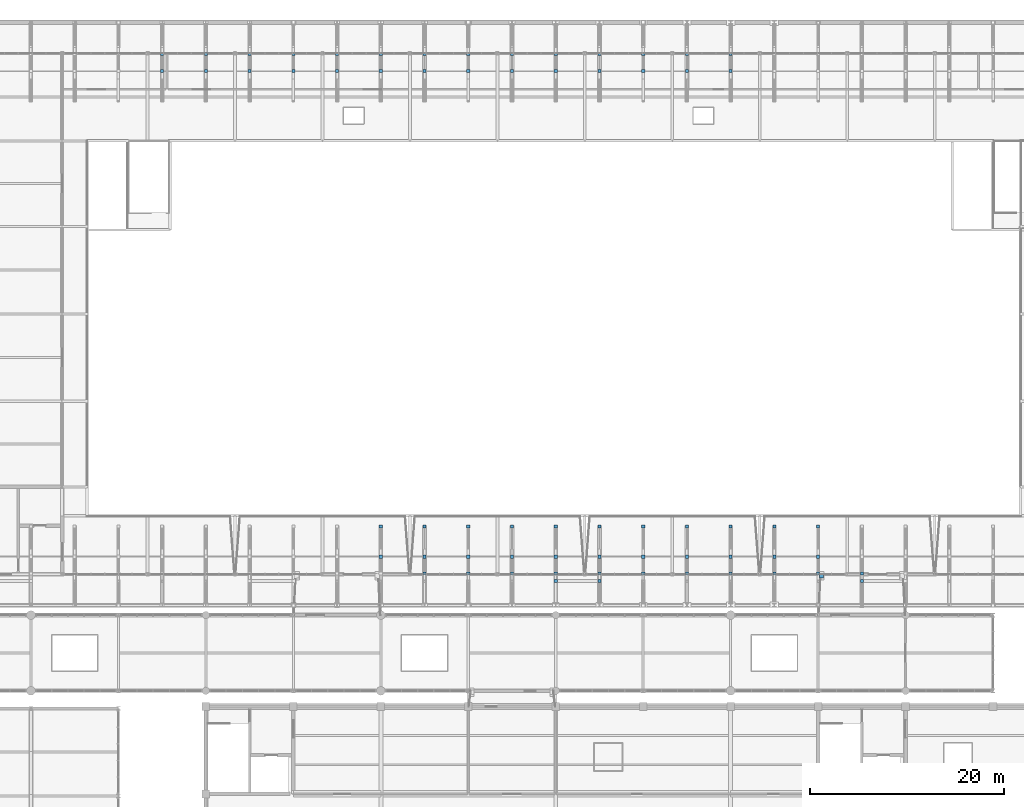
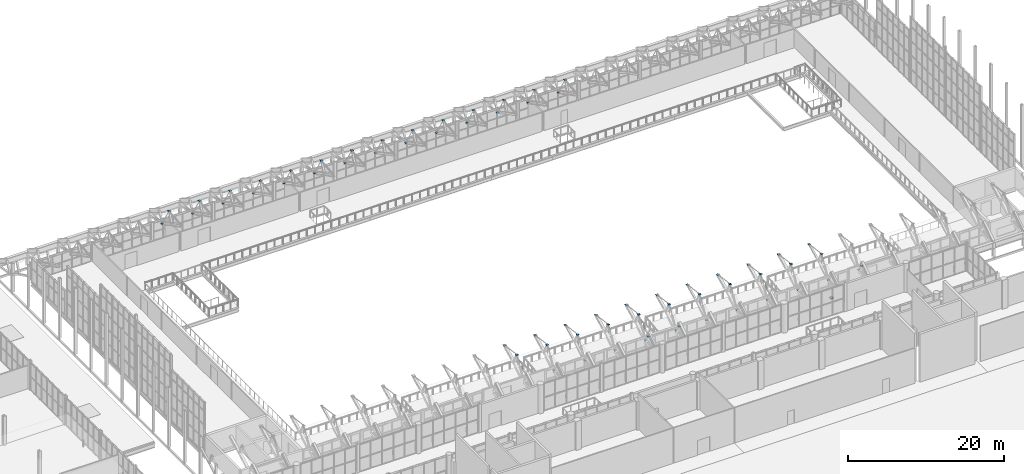
# One storey, part 125 of 134: 65 discrete accessories.
"""IFC4 building model written with IfcOpenShell, lengths in metres."""

from ifc_helpers import new_model, si_unit, direction, frame, origin, origin_2d, place, context, subcontext, project, spatial, rectangle, extrude, material, type_object, element, save


model = new_model("IFC4")

# Units and contexts
model_context = context("Model", 3, precision=1e-05, world=origin(), true_north=direction((0.0, 1.0)))
body_context = subcontext(model_context, "Body", "Model", "MODEL_VIEW")
ifc_project = project(units=[si_unit("LENGTHUNIT", "METRE"), si_unit("AREAUNIT", "SQUARE_METRE"), si_unit("VOLUMEUNIT", "CUBIC_METRE"), si_unit("PLANEANGLEUNIT", "RADIAN"), si_unit("MASSUNIT", "GRAM", prefix="KILO")], contexts=[model_context])

# Site, building, storey
site_placement = place(None, origin())
site = spatial("IfcSite", under=ifc_project, at=site_placement, CompositionType="ELEMENT")
building_placement = place(site_placement, origin())
building = spatial("IfcBuilding", under=site, at=building_placement, Name="Cazmaro Siding Exhibition Halls", CompositionType="ELEMENT")
storey_placement = place(building_placement, frame((0.0, 0.0, 12.0)))
storey = spatial("IfcBuildingStorey", under=building, at=storey_placement, Name="L02", CompositionType="ELEMENT", Elevation=12.0)

# Discrete accessories
ifc_material_1 = material(Name="PTFE Stainless Steel Elastomeric Bearing Assembly", Category="steel")
discrete_accessory_type_1 = type_object("IfcDiscreteAccessoryType", Name="SB-PTFE-01", PredefinedType="USERDEFINED", material=ifc_material_1)
discrete_accessory_placement = place(storey_placement, frame((135.35009765625, 67.050048828125, -0.571044921875), z_axis=(0.0, 0.0, 1.0), x_axis=(1.0, 0.0, 0.0)))
element("IfcDiscreteAccessory", 1, at=discrete_accessory_placement, inside=storey, type_object=discrete_accessory_type_1, Name="Unguided Bi-Directional PTFE Sliding Bearing SB-02 L02", ObjectType="SLIDING BEARING", PredefinedType="USERDEFINED", context=body_context, shape_type="SweptSolid", body=[
    extrude(rectangle(XDim=0.449951171875, YDim=0.449951171875, at=origin_2d()), origin(), (0.0, 0.0, 1.0), 0.1201171875),
])
ifc_material_2 = material(Name="Steel ASTM A572 Grade 50", Category="steel")
discrete_accessory_type_2 = type_object("IfcDiscreteAccessoryType", Name="GP-CONN-01", PredefinedType="BRACKET", material=ifc_material_2)
for number, where, z_axis, x_axis, name in (
    (2, (67.5, 119.0, 5.2861328125), (0.0, 0.0, 1.0), (1.0, 0.0, 0.0), "Welded Steel Brace Node Gusset Connection GP-01 0180"),
    (3, (67.5, 120.72900390625, 2.291015625), (0.0, 0.0, 1.0), (1.0, 0.0, 0.0), "Welded Steel Brace Node Gusset Connection GP-01 0181"),
    (4, (72.0, 119.0, 5.2861328125), (0.0, 0.0, 1.0), (1.0, 0.0, 0.0), "Welded Steel Brace Node Gusset Connection GP-01 0213"),
    (5, (72.0, 120.72900390625, 2.291015625), (0.0, 0.0, 1.0), (1.0, 0.0, 0.0), "Welded Steel Brace Node Gusset Connection GP-01 0214"),
    (6, (76.5, 119.0, 5.2861328125), (0.0, 0.0, 1.0), (1.0, 0.0, 0.0), "Welded Steel Brace Node Gusset Connection GP-01 0240"),
    (7, (76.5, 120.72900390625, 2.291015625), (0.0, 0.0, 1.0), (1.0, 0.0, 0.0), "Welded Steel Brace Node Gusset Connection GP-01 0241"),
    (8, (81.0, 119.0, 5.2861328125), (0.0, 0.0, 1.0), (1.0, 0.0, 0.0), "Welded Steel Brace Node Gusset Connection GP-01 0277"),
    (9, (81.0, 120.72900390625, 2.291015625), (0.0, 0.0, 1.0), (1.0, 0.0, 0.0), "Welded Steel Brace Node Gusset Connection GP-01 0278"),
    (10, (85.5, 119.0, 5.2861328125), (0.0, 0.0, 1.0), (1.0, 0.0, 0.0), "Welded Steel Brace Node Gusset Connection GP-01 0299"),
    (11, (85.5, 120.72900390625, 2.291015625), (0.0, 0.0, 1.0), (1.0, 0.0, 0.0), "Welded Steel Brace Node Gusset Connection GP-01 0300"),
    (12, (90.0, 69.0, 5.2861328125), (0.0, 0.0, 1.0), (1.0, 0.0, 0.0), "Welded Steel Brace Node Gusset Connection GP-01 0313"),
    (13, (90.0, 72.131103515625, 4.86376953125), (0.0, 0.0, 1.0), (1.0, 0.0, 0.0), "Welded Steel Brace Node Gusset Connection GP-01 0314"),
    (14, (90.0, 119.0, 5.2861328125), (0.0, 0.0, 1.0), (1.0, 0.0, 0.0), "Welded Steel Brace Node Gusset Connection GP-01 0332"),
    (15, (90.0, 120.72900390625, 2.291015625), (0.0, 0.0, 1.0), (1.0, 0.0, 0.0), "Welded Steel Brace Node Gusset Connection GP-01 0333"),
    (16, (94.5, 67.27099609375, 2.291015625), (0.0, 0.0, 1.0), (1.0, 0.0, 0.0), "Welded Steel Brace Node Gusset Connection GP-01 0334"),
    (17, (94.5, 69.0, 5.2861328125), (0.0, 0.0, 1.0), (1.0, 0.0, 0.0), "Welded Steel Brace Node Gusset Connection GP-01 0335"),
    (18, (94.5, 72.131103515625, 4.86376953125), (0.0, 0.0, 1.0), (1.0, 0.0, 0.0), "Welded Steel Brace Node Gusset Connection GP-01 0336"),
    (19, (94.5, 119.0, 5.2861328125), (0.0, 0.0, 1.0), (1.0, 0.0, 0.0), "Welded Steel Brace Node Gusset Connection GP-01 0354"),
    (20, (94.5, 120.72900390625, 2.291015625), (0.0, 0.0, 1.0), (1.0, 0.0, 0.0), "Welded Steel Brace Node Gusset Connection GP-01 0355"),
    (21, (99.0, 67.27099609375, 2.291015625), (0.0, 0.0, 1.0), (1.0, 0.0, 0.0), "Welded Steel Brace Node Gusset Connection GP-01 0367"),
    (22, (99.0, 69.0, 5.2861328125), (0.0, 0.0, 1.0), (1.0, 0.0, 0.0), "Welded Steel Brace Node Gusset Connection GP-01 0368"),
    (23, (99.0, 72.131103515625, 4.86376953125), (0.0, 0.0, 1.0), (1.0, 0.0, 0.0), "Welded Steel Brace Node Gusset Connection GP-01 0369"),
    (24, (99.0, 119.0, 5.2861328125), (0.0, 0.0, 1.0), (1.0, 0.0, 0.0), "Welded Steel Brace Node Gusset Connection GP-01 0387"),
    (25, (99.0, 120.72900390625, 2.291015625), (0.0, 0.0, 1.0), (1.0, 0.0, 0.0), "Welded Steel Brace Node Gusset Connection GP-01 0388"),
    (26, (103.5, 67.27099609375, 2.291015625), (0.0, 0.0, 1.0), (1.0, 0.0, 0.0), "Welded Steel Brace Node Gusset Connection GP-01 0389"),
    (27, (103.5, 69.0, 5.2861328125), (0.0, 0.0, 1.0), (1.0, 0.0, 0.0), "Welded Steel Brace Node Gusset Connection GP-01 0390"),
    (28, (103.5, 72.131103515625, 4.86376953125), (0.0, 0.0, 1.0), (1.0, 0.0, 0.0), "Welded Steel Brace Node Gusset Connection GP-01 0391"),
    (29, (103.5, 119.0, 5.2861328125), (0.0, 0.0, 1.0), (1.0, 0.0, 0.0), "Welded Steel Brace Node Gusset Connection GP-01 0409"),
    (30, (103.5, 120.72900390625, 2.291015625), (0.0, 0.0, 1.0), (1.0, 0.0, 0.0), "Welded Steel Brace Node Gusset Connection GP-01 0410"),
    (31, (108.0, 66.5, 3.337890625), (0.0, 0.0, 1.0), (1.0, 0.0, 0.0), "Welded Steel Brace Node Gusset Connection GP-01 0422"),
    (32, (108.0, 67.27099609375, 2.291015625), (0.0, 0.0, 1.0), (1.0, 0.0, 0.0), "Welded Steel Brace Node Gusset Connection GP-01 0423"),
    (33, (108.0, 69.0, 5.2861328125), (0.0, 0.0, 1.0), (1.0, 0.0, 0.0), "Welded Steel Brace Node Gusset Connection GP-01 0425"),
    (34, (108.0, 72.131103515625, 4.86376953125), (0.0, 0.0, 1.0), (1.0, 0.0, 0.0), "Welded Steel Brace Node Gusset Connection GP-01 0426"),
    (35, (108.0, 119.0, 5.2861328125), (0.0, 0.0, 1.0), (1.0, 0.0, 0.0), "Welded Steel Brace Node Gusset Connection GP-01 0447"),
    (36, (108.0, 120.72900390625, 2.291015625), (0.0, 0.0, 1.0), (1.0, 0.0, 0.0), "Welded Steel Brace Node Gusset Connection GP-01 0448"),
    (37, (112.5, 66.5, 3.337890625), (0.0, 0.0, 1.0), (1.0, 0.0, 0.0), "Welded Steel Brace Node Gusset Connection GP-01 0449"),
    (38, (112.5, 67.27099609375, 2.291015625), (0.0, 0.0, 1.0), (1.0, 0.0, 0.0), "Welded Steel Brace Node Gusset Connection GP-01 0450"),
    (39, (112.5, 69.0, 5.2861328125), (0.0, 0.0, 1.0), (1.0, 0.0, 0.0), "Welded Steel Brace Node Gusset Connection GP-01 0451"),
    (40, (112.5, 72.131103515625, 4.86376953125), (0.0, 0.0, 1.0), (1.0, 0.0, 0.0), "Welded Steel Brace Node Gusset Connection GP-01 0452"),
    (41, (112.5, 119.0, 5.2861328125), (0.0, 0.0, 1.0), (1.0, 0.0, 0.0), "Welded Steel Brace Node Gusset Connection GP-01 0473"),
    (42, (112.5, 120.72900390625, 2.291015625), (0.0, 0.0, 1.0), (1.0, 0.0, 0.0), "Welded Steel Brace Node Gusset Connection GP-01 0474"),
    (43, (117.0, 67.27099609375, 2.291015625), (0.0, 0.0, 1.0), (1.0, 0.0, 0.0), "Welded Steel Brace Node Gusset Connection GP-01 0486"),
    (44, (117.0, 69.0, 5.2861328125), (0.0, 0.0, 1.0), (1.0, 0.0, 0.0), "Welded Steel Brace Node Gusset Connection GP-01 0487"),
    (45, (117.0, 72.131103515625, 4.86376953125), (0.0, 0.0, 1.0), (1.0, 0.0, 0.0), "Welded Steel Brace Node Gusset Connection GP-01 0488"),
    (46, (117.0, 119.0, 5.2861328125), (0.0, 0.0, 1.0), (1.0, 0.0, 0.0), "Welded Steel Brace Node Gusset Connection GP-01 0506"),
    (47, (117.0, 120.72900390625, 2.291015625), (0.0, 0.0, 1.0), (1.0, 0.0, 0.0), "Welded Steel Brace Node Gusset Connection GP-01 0507"),
    (48, (121.5, 67.27099609375, 2.291015625), (0.0, 0.0, 1.0), (1.0, 0.0, 0.0), "Welded Steel Brace Node Gusset Connection GP-01 0508"),
    (49, (121.5, 69.0, 5.2861328125), (0.0, 0.0, 1.0), (1.0, 0.0, 0.0), "Welded Steel Brace Node Gusset Connection GP-01 0509"),
    (50, (121.5, 72.131103515625, 4.86376953125), (0.0, 0.0, 1.0), (1.0, 0.0, 0.0), "Welded Steel Brace Node Gusset Connection GP-01 0510"),
    (51, (121.5, 119.0, 5.2861328125), (0.0, 0.0, 1.0), (1.0, 0.0, 0.0), "Welded Steel Brace Node Gusset Connection GP-01 0528"),
    (52, (121.5, 120.72900390625, 2.291015625), (0.0, 0.0, 1.0), (1.0, 0.0, 0.0), "Welded Steel Brace Node Gusset Connection GP-01 0529"),
    (53, (126.0, 67.27099609375, 2.291015625), (0.0, 0.0, 1.0), (1.0, 0.0, 0.0), "Welded Steel Brace Node Gusset Connection GP-01 0541"),
    (54, (126.0, 69.0, 5.2861328125), (0.0, 0.0, 1.0), (1.0, 0.0, 0.0), "Welded Steel Brace Node Gusset Connection GP-01 0542"),
    (55, (126.0, 72.131103515625, 4.86376953125), (0.0, 0.0, 1.0), (1.0, 0.0, 0.0), "Welded Steel Brace Node Gusset Connection GP-01 0543"),
    (56, (126.0, 119.0, 5.2861328125), (0.0, 0.0, 1.0), (1.0, 0.0, 0.0), "Welded Steel Brace Node Gusset Connection GP-01 0561"),
    (57, (126.0, 120.72900390625, 2.291015625), (0.0, 0.0, 1.0), (1.0, 0.0, 0.0), "Welded Steel Brace Node Gusset Connection GP-01 0562"),
    (58, (130.5, 67.27099609375, 2.291015625), (0.0, 0.0, 1.0), (1.0, 0.0, 0.0), "Welded Steel Brace Node Gusset Connection GP-01 0563"),
    (59, (130.5, 69.0, 5.2861328125), (0.0, 0.0, 1.0), (1.0, 0.0, 0.0), "Welded Steel Brace Node Gusset Connection GP-01 0564"),
    (60, (130.5, 72.131103515625, 4.86376953125), (0.0, 0.0, 1.0), (1.0, 0.0, 0.0), "Welded Steel Brace Node Gusset Connection GP-01 0565"),
    (61, (135.0, 67.27099609375, 2.291015625), (0.0, 0.0, 1.0), (1.0, 0.0, 0.0), "Welded Steel Brace Node Gusset Connection GP-01 0596"),
    (62, (135.0, 69.0, 5.2861328125), (0.0, 0.0, 1.0), (1.0, 0.0, 0.0), "Welded Steel Brace Node Gusset Connection GP-01 0597"),
    (63, (135.0, 72.131103515625, 4.86376953125), (0.0, 0.0, 1.0), (1.0, 0.0, 0.0), "Welded Steel Brace Node Gusset Connection GP-01 0598"),
    (64, (139.5, 66.5, 3.337890625), (0.0, 0.0, 1.0), (1.0, 0.0, 0.0), "Welded Steel Brace Node Gusset Connection GP-01 0618"),
    (65, (139.5, 67.27099609375, 2.291015625), (0.0, 0.0, 1.0), (1.0, 0.0, 0.0), "Welded Steel Brace Node Gusset Connection GP-01 0619"),
):
    element("IfcDiscreteAccessory", number, at=place(storey_placement, frame(where, z_axis=z_axis, x_axis=x_axis)), inside=storey, type_object=discrete_accessory_type_2, Name=name, PredefinedType="BRACKET", context=body_context, shape_type="SweptSolid", body=[
        extrude(rectangle(XDim=0.320068359375, YDim=0.320068359375, at=origin_2d()), origin(), (0.0, 0.0, 1.0), 0.030029296875),
    ])

save(model, "model.ifc")
